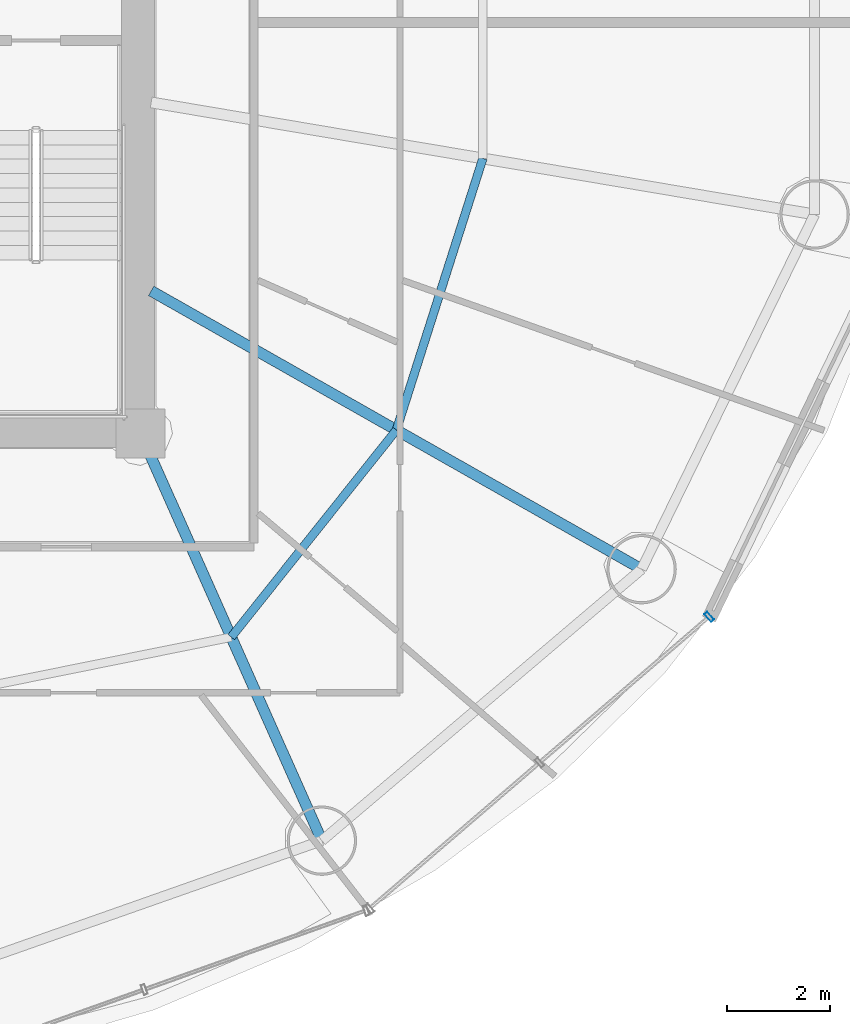
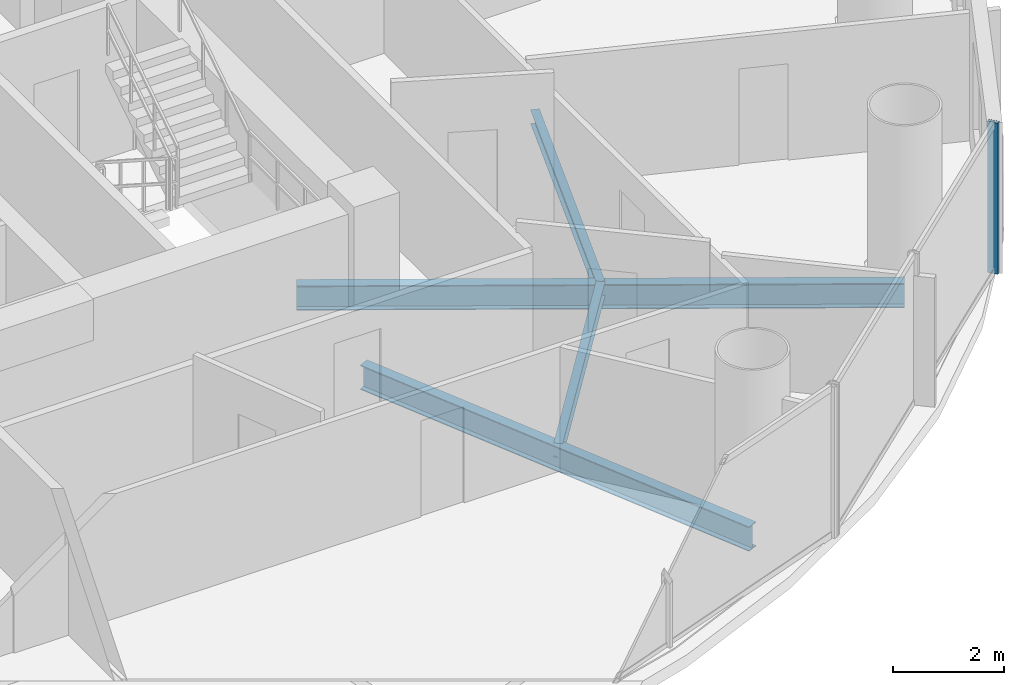
# One storey, part 10 of 27: 4 beams, 1 member, 1 element without a shape of its own.
"""IFC4 building model written with IfcOpenShell, lengths in metres."""

from ifc_helpers import new_model, si_unit, direction, frame, origin, origin_2d, place, context, subcontext, project, spatial, hollow_rectangle, i_section, extrude, source, transform, mapped, material, material_profile, profile_set, type_object, element, aggregate, save


model = new_model("IFC4")

# Units and contexts
model_context = context("Model", 3, precision=1e-05, world=origin(), true_north=direction((-0.2419218956, 0.970295726276)))
body_context = subcontext(model_context, "Body", "Model", "MODEL_VIEW")
ifc_project = project(units=[si_unit("LENGTHUNIT", "METRE"), si_unit("AREAUNIT", "SQUARE_METRE"), si_unit("VOLUMEUNIT", "CUBIC_METRE"), si_unit("PLANEANGLEUNIT", "RADIAN"), si_unit("MASSUNIT", "GRAM", prefix="KILO")], contexts=[model_context])

# Site, building, storey
site_placement = place(None, origin())
site = spatial("IfcSite", under=ifc_project, at=site_placement, CompositionType="ELEMENT")
building_placement = place(site_placement, origin())
building = spatial("IfcBuilding", under=site, at=building_placement, Name="Cobrevalo Terracotta Tower", CompositionType="ELEMENT")
storey_placement = place(building_placement, frame((0.0, 0.0, 160.60009765625)))
storey = spatial("IfcBuildingStorey", under=building, at=storey_placement, Name="L42", CompositionType="ELEMENT", Elevation=160.60009765625)

# Beams
ifc_material_1 = material(Name="Steel S355", Category="steel")
ifc_material_profile_1 = material_profile(ifc_material_1, i_section(OverallWidth=0.2109375, OverallDepth=0.5390625, WebThickness=0.01171875, FlangeThickness=0.018798828125, at=origin_2d()), Name="W 530x109")
ifc_profile_set_1 = profile_set([ifc_material_profile_1], Name="Steel S355")
beam_type_1 = type_object("IfcBeamType", Name="Structural Beam W 530x109 (Steel S355)", PredefinedType="BEAM", material=ifc_profile_set_1)
beam_1_placement = place(storey_placement, frame((50.528076171875, 10.87744140625, -0.53955078125), z_axis=(-0.406804395691, 0.913515289224, 0.0), x_axis=(-0.913515289224, -0.406804395691, 0.0)))
element("IfcBeam", 1, at=beam_1_placement, inside=storey, type_object=beam_type_1, Name="L42 radial floor girder 14", PredefinedType="BEAM", context=body_context, shape_type="SweptSolid", body=[
    extrude(i_section(OverallWidth=0.2109375, OverallDepth=0.5390625, WebThickness=0.01171875, FlangeThickness=0.018798828125, at=origin_2d()), origin(), (0.0, 0.0, 1.0), 8.672607421875),
])
beam_2_placement = place(storey_placement, frame((56.749755859375, 16.160888671875, -0.53955078125), z_axis=(-0.869743726706, 0.493503647257, 0.0), x_axis=(-0.493503647257, -0.869743726706, 0.0)))
element("IfcBeam", 2, at=beam_2_placement, inside=storey, type_object=beam_type_1, Name="L42 radial floor girder 15", PredefinedType="BEAM", context=body_context, shape_type="SweptSolid", body=[
    extrude(i_section(OverallWidth=0.2109375, OverallDepth=0.5390625, WebThickness=0.01171875, FlangeThickness=0.018798828125, at=origin_2d()), origin(), (0.0, 0.0, 1.0), 10.97412109375),
])
ifc_material_profile_2 = material_profile(ifc_material_1, i_section(OverallWidth=0.1650390625, OverallDepth=0.31005859375, WebThickness=0.005859375, FlangeThickness=0.009765625, at=origin_2d()), Name="W 310x38.7")
ifc_profile_set_2 = profile_set([ifc_material_profile_2], Name="Steel S355")
beam_type_2 = type_object("IfcBeamType", Name="Structural Joist W 310x38.7 (Steel S355)", PredefinedType="JOIST", material=ifc_profile_set_2)
beam_3_placement = place(storey_placement, frame((48.76416015625, 14.838623046875, -0.425048828125), z_axis=(0.623382939397, 0.781916690492, 0.0), x_axis=(-0.781916690492, 0.623382939397, 0.0)))
element("IfcBeam", 3, at=beam_3_placement, inside=storey, type_object=beam_type_2, Name="L42 circumferential secondary floor joist 14", PredefinedType="JOIST", context=body_context, shape_type="SweptSolid", body=[
    extrude(i_section(OverallWidth=0.1650390625, OverallDepth=0.31005859375, WebThickness=0.005859375, FlangeThickness=0.009765625, at=origin_2d()), origin(), (0.0, 0.0, 1.0), 5.154296875),
])
beam_4_placement = place(storey_placement, frame((51.977294921875, 18.868896484375, -0.425048828125), z_axis=(0.303497928386, 0.952832098255, 0.0), x_axis=(-0.952832098255, 0.303497928386, 0.0)))
element("IfcBeam", 4, at=beam_4_placement, inside=storey, type_object=beam_type_2, Name="L42 circumferential secondary floor joist 15", PredefinedType="JOIST", context=body_context, shape_type="SweptSolid", body=[
    extrude(i_section(OverallWidth=0.1650390625, OverallDepth=0.31005859375, WebThickness=0.005859375, FlangeThickness=0.009765625, at=origin_2d()), origin(), (0.0, 0.0, 1.0), 5.54736328125),
])

# Curtain wall, member
ifc_material_2 = material(Name="Anodized aluminium", Category="aluminium")
curtain_wall_type = type_object("IfcCurtainWallType", Name="Mid-tower high-wind unitised curtain wall CW-U2", PredefinedType="NOTDEFINED", material=ifc_material_2)
curtain_wall_placement = place(storey_placement, origin())
curtain_wall = element("IfcCurtainWall", 5, at=curtain_wall_placement, inside=storey, type_object=curtain_wall_type, Name="L42 curtain wall CW-L42-S14", PredefinedType="NOTDEFINED")
ifc_material_profile_3 = material_profile(ifc_material_2, hollow_rectangle(XDim=0.074951171875, YDim=0.199951171875, WallThickness=0.0048828125, at=origin_2d()), Name="CWM 75x200")
ifc_profile_set_3 = profile_set([ifc_material_profile_3], Name="Anodized aluminium")
member_type = type_object("IfcMemberType", Name="Lower/mid tower unitised mullion 75x200", PredefinedType="MULLION", material=ifc_profile_set_3)
shared_shape = source(origin(), body_context, "Body", "SweptSolid", [
    extrude(hollow_rectangle(XDim=0.074951171875, YDim=0.199951171875, WallThickness=0.0048828125, at=origin_2d()), origin(), (0.0, 0.0, 1.0), 3.329833984375),
])
member_placement = place(storey_placement, frame((58.066162109375, 15.234619140625, 0.0), z_axis=(0.0, 0.0, 1.0), x_axis=(0.758441546142, 0.65174106905, 0.0)))
member = element("IfcMember", 6, at=member_placement, type_object=member_type, Name="CW-L42-S14 vertical mullion 03", PredefinedType="MULLION", context=body_context, shape_type="MappedRepresentation", body=[
    mapped(shared_shape, transform((0.0, 0.0, 0.0), scale=1.0)),
])
aggregate(curtain_wall, [member])

save(model, "model.ifc")
